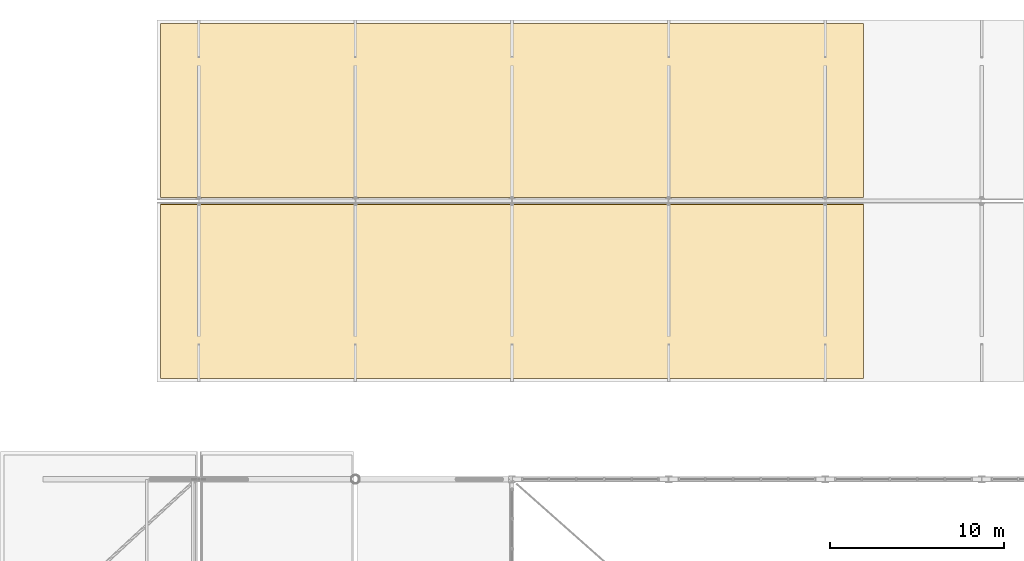
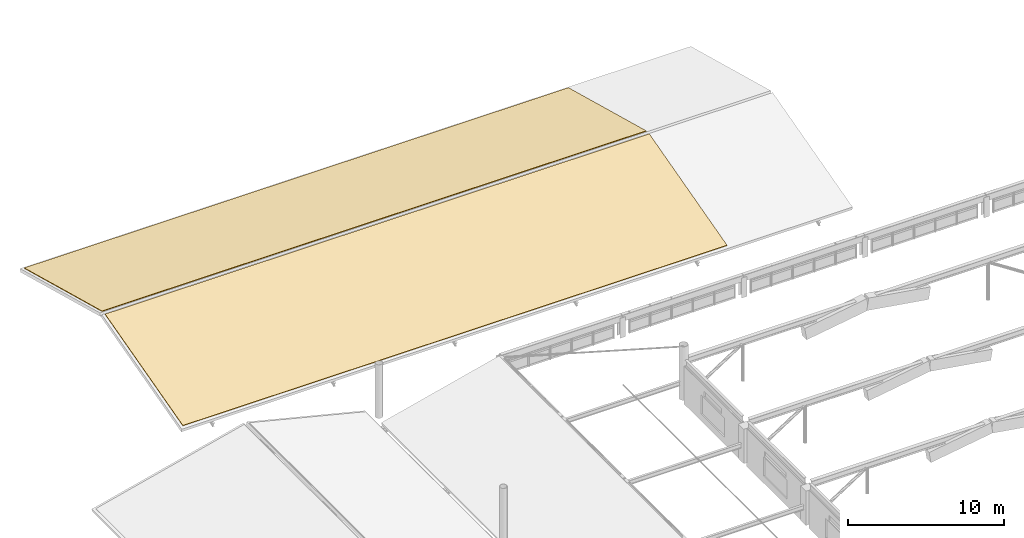
# One storey, part 123 of 128: 2 coverings.
"""IFC4 building model written with IfcOpenShell, lengths in metres."""

from ifc_helpers import new_model, si_unit, derived_unit, direction, frame, origin, place, context, subcontext, project, spatial, polyline, outline, extrude, material, layer, layer_set, type_object, element, save


model = new_model("IFC4")

# Units and contexts
model_context = context("Model", 3, precision=1e-05, world=origin(), true_north=direction((0.0, 1.0)))
body_context = subcontext(model_context, "Body", "Model", "MODEL_VIEW")
ifc_project = project(units=[si_unit("LENGTHUNIT", "METRE"), si_unit("AREAUNIT", "SQUARE_METRE"), si_unit("VOLUMEUNIT", "CUBIC_METRE"), si_unit("PLANEANGLEUNIT", "RADIAN"), si_unit("MASSUNIT", "GRAM", prefix="KILO"), derived_unit("THERMALTRANSMITTANCEUNIT", [(si_unit("MASSUNIT", "GRAM", prefix="KILO"), 1), (si_unit("TIMEUNIT", "SECOND"), -3), (si_unit("THERMODYNAMICTEMPERATUREUNIT", "KELVIN"), -1)])], contexts=[model_context])

# Site, building, storey
site_placement = place(None, origin())
site = spatial("IfcSite", under=ifc_project, at=site_placement, CompositionType="ELEMENT")
building_placement = place(site_placement, origin())
building = spatial("IfcBuilding", under=site, at=building_placement, Name="Zhenchuan Archway Interchange", CompositionType="ELEMENT")
storey_placement = place(building_placement, frame((0.0, 0.0, 14.39990234375)))
storey = spatial("IfcBuildingStorey", under=building, at=storey_placement, Name="L03", CompositionType="ELEMENT", Elevation=14.39990234375)

# Coverings
ifc_material = material(Name="Terracotta Ceramic", Category="masonry")
ifc_layer = layer(ifc_material, 0.050048828125)
ifc_layer_set = layer_set([ifc_layer], Name="Terracotta Ceramic")
covering_type = type_object("IfcCoveringType", Name="COV_ROOF_TERRA", PredefinedType="ROOFING", material=ifc_layer_set)
for number, where, z_axis, x_axis, name in (
    (1, (6.800048828125, 93.800048828125, -0.326904296875), (0.0, -0.258770662419, 0.965938789091), (1.0, 0.0, 0.0), "Roof weatherproofing covering COV:ROOF:TRM-S"),
    (2, (6.800048828125, 104.199951171875, 2.35205078125), (0.0, 0.258770662419, 0.965938789091), (1.0, 0.0, 0.0), "Roof weatherproofing covering COV:ROOF:TRM-N"),
):
    element("IfcCovering", number, at=place(storey_placement, frame(where, z_axis=z_axis, x_axis=x_axis)), inside=storey, type_object=covering_type, Name=name, PredefinedType="ROOFING", context=body_context, shape_type="SweptSolid", body=[
        extrude(outline(polyline([(0.0, 0.0), (40.39990234375, 0.0), (40.39990234375, 10.352622871070489), (0.0, 10.352622871070489), (0.0, 0.0)])), origin(), (0.0, 0.0, -1.0), 0.050048828125),
    ])

save(model, "model.ifc")
